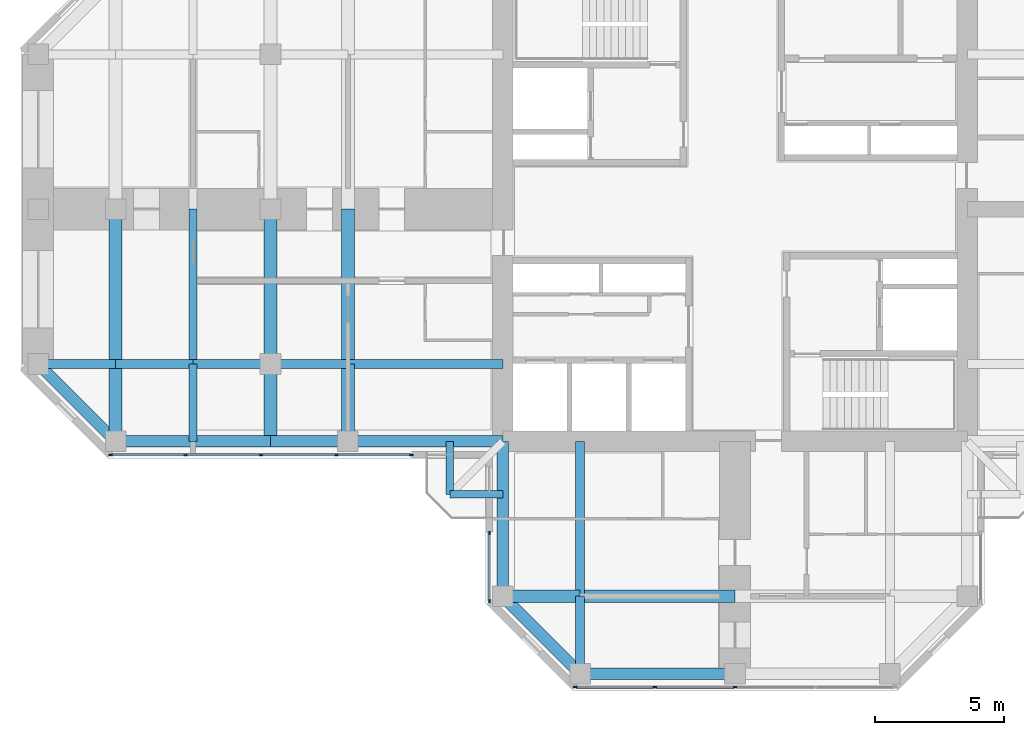
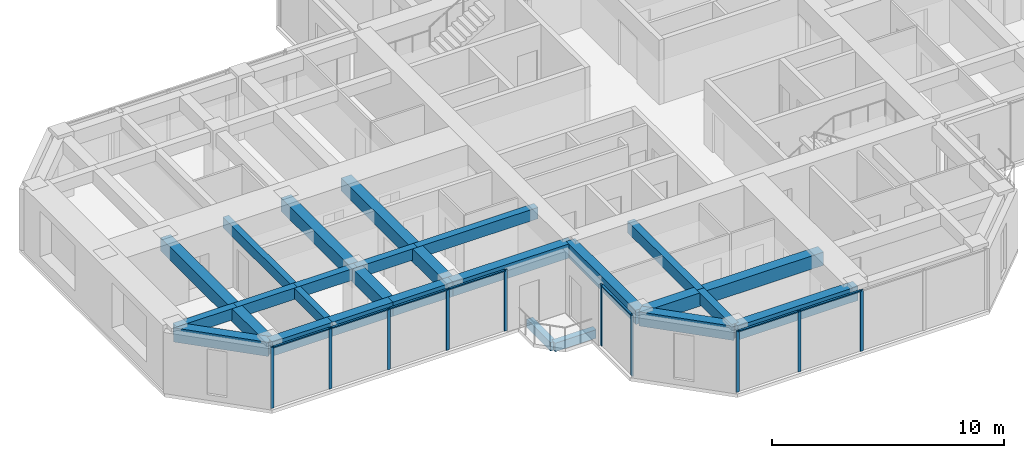
# One storey, part 2 of 13: 27 beams, 17 members, 3 elements without a shape of their own.
"""IFC4 building model written with IfcOpenShell, lengths in metres."""

from ifc_helpers import new_model, si_unit, direction, frame, origin, origin_2d, place, context, subcontext, project, spatial, rectangle, extrude, material, material_profile, profile_set, type_object, element, aggregate, save


model = new_model("IFC4")

# Units and contexts
model_context = context("Model", 3, precision=1e-05, world=origin(), true_north=direction((0.0, 1.0)))
body_context = subcontext(model_context, "Body", "Model", "MODEL_VIEW")
ifc_project = project(units=[si_unit("LENGTHUNIT", "METRE"), si_unit("AREAUNIT", "SQUARE_METRE"), si_unit("VOLUMEUNIT", "CUBIC_METRE"), si_unit("PLANEANGLEUNIT", "RADIAN"), si_unit("MASSUNIT", "GRAM", prefix="KILO")], contexts=[model_context])

# Site, building, storey
site_placement = place(None, origin())
site = spatial("IfcSite", under=ifc_project, at=site_placement, CompositionType="ELEMENT")
building_placement = place(site_placement, origin())
building = spatial("IfcBuilding", under=site, at=building_placement, Name="Torre Cruceta", CompositionType="ELEMENT")
storey_placement = place(building_placement, frame((0.0, 0.0, 239.10009765625)))
storey = spatial("IfcBuildingStorey", under=building, at=storey_placement, Name="L61", CompositionType="ELEMENT", Elevation=239.10009765625)

# Beams
ifc_material_1 = material(Name="Concrete G60 (fck 60 MPa)", Category="concrete")
ifc_material_profile_1 = material_profile(ifc_material_1, rectangle(XDim=0.300048828125, YDim=0.449951171875, at=origin_2d()), Name="RC 300X450")
ifc_profile_set_1 = profile_set([ifc_material_profile_1], Name="Concrete G60 (fck 60 MPa)")
beam_type_1 = type_object("IfcBeamType", Name="BALCONY CANTILEVER BEAM RC 300X450", PredefinedType="BEAM", material=ifc_profile_set_1)
for number, where, z_axis, x_axis, name in (
    (1, (-11.050537109375, -9.0, -0.405029296875), (0.0, -1.0, 0.0), (1.0, 0.0, 0.0), "BB1 balcony edge beam L61 W-X"),
    (2, (-9.0, -11.050537109375, -0.405029296875), (-1.0, 0.0, 0.0), (0.0, -1.0, 0.0), "BB1 balcony edge beam L61 W-Y"),
):
    element("IfcBeam", number, at=place(storey_placement, frame(where, z_axis=z_axis, x_axis=x_axis)), inside=storey, type_object=beam_type_1, Name=name, PredefinedType="BEAM", context=body_context, shape_type="SweptSolid", body=[
        extrude(rectangle(XDim=0.300048828125, YDim=0.449951171875, at=origin_2d()), origin(), (0.0, 0.0, 1.0), 2.050537109375),
    ])
ifc_material_2 = material(Name="Concrete G60 (fck 60 MPa)", Category="concrete")
ifc_material_profile_2 = material_profile(ifc_material_2, rectangle(XDim=0.35009765625, YDim=0.60009765625, at=origin_2d()), Name="RC 350X600")
ifc_profile_set_2 = profile_set([ifc_material_profile_2], Name="Concrete G60 (fck 60 MPa)")
beam_type_2 = type_object("IfcBeamType", Name="COLUMN LINE BEAM RC 350X600", PredefinedType="BEAM", material=ifc_profile_set_2)
beam_1_placement = place(storey_placement, frame((-6.0, -9.0, 2.919921875), z_axis=(0.0, -1.0, 0.0), x_axis=(1.0, 0.0, 0.0)))
element("IfcBeam", 3, at=beam_1_placement, inside=storey, type_object=beam_type_2, Name="LB9 L61 S col- 1", PredefinedType="BEAM", context=body_context, shape_type="SweptSolid", body=[
    extrude(rectangle(XDim=0.35009765625, YDim=0.60009765625, at=origin_2d()), origin(), (0.0, 0.0, 1.0), 6.0),
])
beam_2_placement = place(storey_placement, frame((-6.0, -15.0, 2.919921875), z_axis=(0.0, -1.0, 0.0), x_axis=(1.0, 0.0, 0.0)))
element("IfcBeam", 4, at=beam_2_placement, inside=storey, type_object=beam_type_2, Name="LB9 L61 S col- 2", PredefinedType="BEAM", context=body_context, shape_type="SweptSolid", body=[
    extrude(rectangle(XDim=0.35009765625, YDim=0.60009765625, at=origin_2d()), origin(), (0.0, 0.0, 1.0), 3.0),
])
beam_3_placement = place(storey_placement, frame((-9.0, -6.0, 2.919921875), z_axis=(-1.0, 0.0, 0.0), x_axis=(0.0, -1.0, 0.0)))
element("IfcBeam", 5, at=beam_3_placement, inside=storey, type_object=beam_type_2, Name="LB9 L61 W col+ 1", PredefinedType="BEAM", context=body_context, shape_type="SweptSolid", body=[
    extrude(rectangle(XDim=0.35009765625, YDim=0.60009765625, at=origin_2d()), origin(), (0.0, 0.0, 1.0), 6.0),
])
for number, where, z_axis, x_axis, name in (
    (6, (-15.0, -6.0, 2.919921875), (-1.0, 0.0, 0.0), (0.0, -1.0, 0.0), "LB9 L61 W col+ 2"),
    (7, (-18.0, -6.0, 2.919921875), (-1.0, 0.0, 0.0), (0.0, -1.0, 0.0), "LB9 L61 W col+ 3"),
    (8, (-21.0, -6.0, 2.919921875), (-1.0, 0.0, 0.0), (0.0, -1.0, 0.0), "LB9 L61 W col+ 4"),
    (9, (-24.0, -6.0, 2.919921875), (-1.0, 0.0, 0.0), (0.0, -1.0, 0.0), "LB9 L61 W col+ 5"),
):
    element("IfcBeam", number, at=place(storey_placement, frame(where, z_axis=z_axis, x_axis=x_axis)), inside=storey, type_object=beam_type_2, Name=name, PredefinedType="BEAM", context=body_context, shape_type="SweptSolid", body=[
        extrude(rectangle(XDim=0.35009765625, YDim=0.60009765625, at=origin_2d()), origin(), (0.0, 0.0, 1.0), 3.0),
    ])
ifc_material_3 = material(Name="Concrete G60 (fck 60 MPa)", Category="concrete")
ifc_material_profile_3 = material_profile(ifc_material_3, rectangle(XDim=0.5, YDim=0.699951171875, at=origin_2d()), Name="RC 500X700")
ifc_profile_set_3 = profile_set([ifc_material_profile_3], Name="Concrete G60 (fck 60 MPa)")
beam_type_3 = type_object("IfcBeamType", Name="CROSS BEAM RC 500X700", PredefinedType="BEAM", material=ifc_profile_set_3)
beam_4_placement = place(storey_placement, frame((-9.0, -15.0, 2.869873046875), z_axis=(1.0, 0.0, 0.0), x_axis=(0.0, 1.0, 0.0)))
element("IfcBeam", 10, at=beam_4_placement, inside=storey, type_object=beam_type_3, Name="GB7 L61 S cross15 1", PredefinedType="BEAM", context=body_context, shape_type="SweptSolid", body=[
    extrude(rectangle(XDim=0.5, YDim=0.699951171875, at=origin_2d()), origin(), (0.0, 0.0, 1.0), 3.0),
])
for number, where, z_axis, x_axis, name in (
    (11, (-6.0, -15.0, 2.869873046875), (1.0, 0.0, 0.0), (0.0, 1.0, 0.0), "GB7 L61 S cross15 2"),
    (12, (-15.0, 0.0, 2.869873046875), (0.0, -1.0, 0.0), (1.0, 0.0, 0.0), "GB7 L61 W cross15 3"),
):
    element("IfcBeam", number, at=place(storey_placement, frame(where, z_axis=z_axis, x_axis=x_axis)), inside=storey, type_object=beam_type_3, Name=name, PredefinedType="BEAM", context=body_context, shape_type="SweptSolid", body=[
        extrude(rectangle(XDim=0.5, YDim=0.699951171875, at=origin_2d()), origin(), (0.0, 0.0, 1.0), 6.0),
    ])
beam_5_placement = place(storey_placement, frame((-15.0, -6.0, 2.869873046875), z_axis=(0.0, -1.0, 0.0), x_axis=(1.0, 0.0, 0.0)))
element("IfcBeam", 13, at=beam_5_placement, inside=storey, type_object=beam_type_3, Name="GB7 L61 W cross15 4", PredefinedType="BEAM", context=body_context, shape_type="SweptSolid", body=[
    extrude(rectangle(XDim=0.5, YDim=0.699951171875, at=origin_2d()), origin(), (0.0, 0.0, 1.0), 3.0),
])
beam_6_placement = place(storey_placement, frame((-18.0, 0.0, 2.869873046875), z_axis=(0.0, -1.0, 0.0), x_axis=(1.0, 0.0, 0.0)))
element("IfcBeam", 14, at=beam_6_placement, inside=storey, type_object=beam_type_3, Name="GB7 L61 W cross18 3", PredefinedType="BEAM", context=body_context, shape_type="SweptSolid", body=[
    extrude(rectangle(XDim=0.5, YDim=0.699951171875, at=origin_2d()), origin(), (0.0, 0.0, 1.0), 6.0),
])
beam_7_placement = place(storey_placement, frame((-18.0, -6.0, 2.869873046875), z_axis=(0.0, -1.0, 0.0), x_axis=(1.0, 0.0, 0.0)))
element("IfcBeam", 15, at=beam_7_placement, inside=storey, type_object=beam_type_3, Name="GB7 L61 W cross18 4", PredefinedType="BEAM", context=body_context, shape_type="SweptSolid", body=[
    extrude(rectangle(XDim=0.5, YDim=0.699951171875, at=origin_2d()), origin(), (0.0, 0.0, 1.0), 3.0),
])
beam_8_placement = place(storey_placement, frame((-24.0, 0.0, 2.869873046875), z_axis=(0.0, -1.0, 0.0), x_axis=(1.0, 0.0, 0.0)))
element("IfcBeam", 16, at=beam_8_placement, inside=storey, type_object=beam_type_3, Name="GB7 L61 W cross24 3", PredefinedType="BEAM", context=body_context, shape_type="SweptSolid", body=[
    extrude(rectangle(XDim=0.5, YDim=0.699951171875, at=origin_2d()), origin(), (0.0, 0.0, 1.0), 6.0),
])
beam_9_placement = place(storey_placement, frame((-24.0, -6.0, 2.869873046875), z_axis=(0.0, -1.0, 0.0), x_axis=(1.0, 0.0, 0.0)))
element("IfcBeam", 17, at=beam_9_placement, inside=storey, type_object=beam_type_3, Name="GB7 L61 W cross24 4", PredefinedType="BEAM", context=body_context, shape_type="SweptSolid", body=[
    extrude(rectangle(XDim=0.5, YDim=0.699951171875, at=origin_2d()), origin(), (0.0, 0.0, 1.0), 3.0),
])

# Curtain wall, members
ifc_material_4 = material(Name="Aluminium unitised curtain wall", Category="aluminium")
curtain_wall_type = type_object("IfcCurtainWallType", Name="CURTAIN WALL CW-D CO-LIVING UPPER", PredefinedType="USERDEFINED", material=ifc_material_4)
curtain_wall_1_placement = place(storey_placement, origin())
curtain_wall_1 = element("IfcCurtainWall", 18, at=curtain_wall_1_placement, inside=storey, type_object=curtain_wall_type, Name="CW-D L61 W side 14", ObjectType="UNITISED", PredefinedType="USERDEFINED")
ifc_material_5 = material(Name="Aluminium mullion", Category="aluminium")
ifc_material_profile_4 = material_profile(ifc_material_5, rectangle(XDim=0.06005859375, YDim=0.14990234375, at=origin_2d()), Name="AL 60X150")
ifc_profile_set_4 = profile_set([ifc_material_profile_4], Name="Aluminium mullion")
member_type_1 = type_object("IfcMemberType", Name="CW-D MULLION 60X150", PredefinedType="MULLION", material=ifc_profile_set_4)
member_1_placement = place(storey_placement, frame((-24.185302734375, -9.52001953125, 0.0), z_axis=(0.0, 0.0, 1.0), x_axis=(0.0, 1.0, 0.0)))
member_1 = element("IfcMember", 19, at=member_1_placement, type_object=member_type_1, Name="CW-D mullion 1", PredefinedType="MULLION", context=body_context, shape_type="SweptSolid", body=[
    extrude(rectangle(XDim=0.06005859375, YDim=0.14990234375, at=origin_2d()), origin(), (0.0, 0.0, 1.0), 3.219970703125),
])
member_2_placement = place(storey_placement, frame((-21.29150390625, -9.52001953125, 0.0), z_axis=(0.0, 0.0, 1.0), x_axis=(0.0, 1.0, 0.0)))
member_2 = element("IfcMember", 20, at=member_2_placement, type_object=member_type_1, Name="CW-D mullion 2", PredefinedType="MULLION", context=body_context, shape_type="SweptSolid", body=[
    extrude(rectangle(XDim=0.06005859375, YDim=0.14990234375, at=origin_2d()), origin(), (0.0, 0.0, 1.0), 3.219970703125),
])
member_3_placement = place(storey_placement, frame((-18.36767578125, -9.52001953125, 0.0), z_axis=(0.0, 0.0, 1.0), x_axis=(0.0, 1.0, 0.0)))
member_3 = element("IfcMember", 21, at=member_3_placement, type_object=member_type_1, Name="CW-D mullion 3", PredefinedType="MULLION", context=body_context, shape_type="SweptSolid", body=[
    extrude(rectangle(XDim=0.06005859375, YDim=0.14990234375, at=origin_2d()), origin(), (0.0, 0.0, 1.0), 3.219970703125),
])
member_4_placement = place(storey_placement, frame((-15.44384765625, -9.52001953125, 0.0), z_axis=(0.0, 0.0, 1.0), x_axis=(0.0, 1.0, 0.0)))
member_4 = element("IfcMember", 22, at=member_4_placement, type_object=member_type_1, Name="CW-D mullion 4", PredefinedType="MULLION", context=body_context, shape_type="SweptSolid", body=[
    extrude(rectangle(XDim=0.06005859375, YDim=0.14990234375, at=origin_2d()), origin(), (0.0, 0.0, 1.0), 3.219970703125),
])
member_5_placement = place(storey_placement, frame((-12.550048828125, -9.52001953125, 0.0), z_axis=(0.0, 0.0, 1.0), x_axis=(0.0, 1.0, 0.0)))
member_5 = element("IfcMember", 23, at=member_5_placement, type_object=member_type_1, Name="CW-D mullion 5", PredefinedType="MULLION", context=body_context, shape_type="SweptSolid", body=[
    extrude(rectangle(XDim=0.06005859375, YDim=0.14990234375, at=origin_2d()), origin(), (0.0, 0.0, 1.0), 3.219970703125),
])

curtain_wall_2_placement = place(storey_placement, origin())
curtain_wall_2 = element("IfcCurtainWall", 24, at=curtain_wall_2_placement, inside=storey, type_object=curtain_wall_type, Name="CW-D L61 S side 15", ObjectType="UNITISED", PredefinedType="USERDEFINED")
member_6_placement = place(storey_placement, frame((-9.52001953125, -12.550048828125, 0.0), z_axis=(0.0, 0.0, 1.0), x_axis=(1.0, 0.0, 0.0)))
member_6 = element("IfcMember", 25, at=member_6_placement, type_object=member_type_1, Name="CW-D mullion 1", PredefinedType="MULLION", context=body_context, shape_type="SweptSolid", body=[
    extrude(rectangle(XDim=0.06005859375, YDim=0.14990234375, at=origin_2d()), origin(), (0.0, 0.0, 1.0), 3.219970703125),
])
member_7_placement = place(storey_placement, frame((-9.52001953125, -15.185302734375, 0.0), z_axis=(0.0, 0.0, 1.0), x_axis=(1.0, 0.0, 0.0)))
member_7 = element("IfcMember", 26, at=member_7_placement, type_object=member_type_1, Name="CW-D mullion 2", PredefinedType="MULLION", context=body_context, shape_type="SweptSolid", body=[
    extrude(rectangle(XDim=0.06005859375, YDim=0.14990234375, at=origin_2d()), origin(), (0.0, 0.0, 1.0), 3.219970703125),
])

curtain_wall_3_placement = place(storey_placement, origin())
curtain_wall_3 = element("IfcCurtainWall", 27, at=curtain_wall_3_placement, inside=storey, type_object=curtain_wall_type, Name="CW-D L61 S tip 17", ObjectType="UNITISED", PredefinedType="USERDEFINED")
member_8_placement = place(storey_placement, frame((-6.185302734375, -18.52001953125, 0.0), z_axis=(0.0, 0.0, 1.0), x_axis=(0.0, 1.0, 0.0)))
member_8 = element("IfcMember", 28, at=member_8_placement, type_object=member_type_1, Name="CW-D mullion 1", PredefinedType="MULLION", context=body_context, shape_type="SweptSolid", body=[
    extrude(rectangle(XDim=0.06005859375, YDim=0.14990234375, at=origin_2d()), origin(), (0.0, 0.0, 1.0), 3.219970703125),
])
member_9_placement = place(storey_placement, frame((-3.107666015625, -18.52001953125, 0.0), z_axis=(0.0, 0.0, 1.0), x_axis=(0.0, 1.0, 0.0)))
member_9 = element("IfcMember", 29, at=member_9_placement, type_object=member_type_1, Name="CW-D mullion 2", PredefinedType="MULLION", context=body_context, shape_type="SweptSolid", body=[
    extrude(rectangle(XDim=0.06005859375, YDim=0.14990234375, at=origin_2d()), origin(), (0.0, 0.0, 1.0), 3.219970703125),
])
member_10_placement = place(storey_placement, frame((0.0, -18.52001953125, 0.0), z_axis=(0.0, 0.0, 1.0), x_axis=(0.0, 1.0, 0.0)))
member_10 = element("IfcMember", 30, at=member_10_placement, type_object=member_type_1, Name="CW-D mullion 3", PredefinedType="MULLION", context=body_context, shape_type="SweptSolid", body=[
    extrude(rectangle(XDim=0.06005859375, YDim=0.14990234375, at=origin_2d()), origin(), (0.0, 0.0, 1.0), 3.219970703125),
])

# Member
ifc_material_6 = material(Name="Aluminium transom", Category="aluminium")
ifc_material_profile_5 = material_profile(ifc_material_6, rectangle(XDim=0.10009765625, YDim=0.06005859375, at=origin_2d()), Name="AL 100X60")
ifc_profile_set_5 = profile_set([ifc_material_profile_5], Name="Aluminium transom")
member_type_2 = type_object("IfcMemberType", Name="CW-D TRANSOM 60X100", PredefinedType="USERDEFINED", material=ifc_profile_set_5)
member_11_placement = place(storey_placement, frame((-24.1552734375, -9.52001953125, 3.18994140625), z_axis=(1.0, 0.0, 0.0), x_axis=(0.0, 1.0, 0.0)))
member_11 = element("IfcMember", 31, at=member_11_placement, type_object=member_type_2, Name="CW-D transom 1", ObjectType="TRANSOM", PredefinedType="USERDEFINED", context=body_context, shape_type="SweptSolid", body=[
    extrude(rectangle(XDim=0.10009765625, YDim=0.06005859375, at=origin_2d()), origin(), (0.0, 0.0, 1.0), 2.833740234375),
])

member_12_placement = place(storey_placement, frame((-21.261474609375, -9.52001953125, 3.18994140625), z_axis=(1.0, 0.0, 0.0), x_axis=(0.0, 1.0, 0.0)))
member_12 = element("IfcMember", 32, at=member_12_placement, type_object=member_type_2, Name="CW-D transom 2", ObjectType="TRANSOM", PredefinedType="USERDEFINED", context=body_context, shape_type="SweptSolid", body=[
    extrude(rectangle(XDim=0.10009765625, YDim=0.06005859375, at=origin_2d()), origin(), (0.0, 0.0, 1.0), 2.86376953125),
])

member_13_placement = place(storey_placement, frame((-18.337646484375, -9.52001953125, 3.18994140625), z_axis=(1.0, 0.0, 0.0), x_axis=(0.0, 1.0, 0.0)))
member_13 = element("IfcMember", 33, at=member_13_placement, type_object=member_type_2, Name="CW-D transom 3", ObjectType="TRANSOM", PredefinedType="USERDEFINED", context=body_context, shape_type="SweptSolid", body=[
    extrude(rectangle(XDim=0.10009765625, YDim=0.06005859375, at=origin_2d()), origin(), (0.0, 0.0, 1.0), 2.86376953125),
])

member_14_placement = place(storey_placement, frame((-15.413818359375, -9.52001953125, 3.18994140625), z_axis=(1.0, 0.0, 0.0), x_axis=(0.0, 1.0, 0.0)))
member_14 = element("IfcMember", 34, at=member_14_placement, type_object=member_type_2, Name="CW-D transom 4", ObjectType="TRANSOM", PredefinedType="USERDEFINED", context=body_context, shape_type="SweptSolid", body=[
    extrude(rectangle(XDim=0.10009765625, YDim=0.06005859375, at=origin_2d()), origin(), (0.0, 0.0, 1.0), 2.833740234375),
])

aggregate(curtain_wall_1, [member_1, member_2, member_3, member_4, member_5, member_11, member_12, member_13, member_14])

member_15_placement = place(storey_placement, frame((-9.52001953125, -12.580078125, 3.18994140625), z_axis=(0.0, -1.0, 0.0), x_axis=(1.0, 0.0, 0.0)))
member_15 = element("IfcMember", 35, at=member_15_placement, type_object=member_type_2, Name="CW-D transom 1", ObjectType="TRANSOM", PredefinedType="USERDEFINED", context=body_context, shape_type="SweptSolid", body=[
    extrude(rectangle(XDim=0.10009765625, YDim=0.06005859375, at=origin_2d()), origin(), (0.0, 0.0, 1.0), 2.5751953125),
])

aggregate(curtain_wall_2, [member_6, member_7, member_15])

member_16_placement = place(storey_placement, frame((-6.1552734375, -18.52001953125, 3.18994140625), z_axis=(1.0, 0.0, 0.0), x_axis=(0.0, 1.0, 0.0)))
member_16 = element("IfcMember", 36, at=member_16_placement, type_object=member_type_2, Name="CW-D transom 1", ObjectType="TRANSOM", PredefinedType="USERDEFINED", context=body_context, shape_type="SweptSolid", body=[
    extrude(rectangle(XDim=0.10009765625, YDim=0.06005859375, at=origin_2d()), origin(), (0.0, 0.0, 1.0), 3.017578125),
])

member_17_placement = place(storey_placement, frame((-3.07763671875, -18.52001953125, 3.18994140625), z_axis=(1.0, 0.0, 0.0), x_axis=(0.0, 1.0, 0.0)))
member_17 = element("IfcMember", 37, at=member_17_placement, type_object=member_type_2, Name="CW-D transom 2", ObjectType="TRANSOM", PredefinedType="USERDEFINED", context=body_context, shape_type="SweptSolid", body=[
    extrude(rectangle(XDim=0.10009765625, YDim=0.06005859375, at=origin_2d()), origin(), (0.0, 0.0, 1.0), 3.047607421875),
])

aggregate(curtain_wall_3, [member_8, member_9, member_10, member_16, member_17])

# Beams
ifc_material_7 = material(Name="Concrete G60 (fck 60 MPa)", Category="concrete")
ifc_material_profile_6 = material_profile(ifc_material_7, rectangle(XDim=0.300048828125, YDim=0.550048828125, at=origin_2d()), Name="RC 300X550")
ifc_profile_set_6 = profile_set([ifc_material_profile_6], Name="Concrete G60 (fck 60 MPa)")
beam_type_4 = type_object("IfcBeamType", Name="SECONDARY BEAM RC 300X550", PredefinedType="JOIST", material=ifc_profile_set_6)
beam_10_placement = place(storey_placement, frame((-21.0, 0.0, 2.94482421875), z_axis=(0.0, -1.0, 0.0), x_axis=(1.0, 0.0, 0.0)))
element("IfcBeam", 38, at=beam_10_placement, inside=storey, type_object=beam_type_4, Name="JB7 L61 W sec21 3", PredefinedType="JOIST", context=body_context, shape_type="SweptSolid", body=[
    extrude(rectangle(XDim=0.300048828125, YDim=0.550048828125, at=origin_2d()), origin(), (0.0, 0.0, 1.0), 6.0),
])
beam_11_placement = place(storey_placement, frame((-21.0, -6.0, 2.94482421875), z_axis=(0.0, -1.0, 0.0), x_axis=(1.0, 0.0, 0.0)))
element("IfcBeam", 39, at=beam_11_placement, inside=storey, type_object=beam_type_4, Name="JB7 L61 W sec21 4", PredefinedType="JOIST", context=body_context, shape_type="SweptSolid", body=[
    extrude(rectangle(XDim=0.300048828125, YDim=0.550048828125, at=origin_2d()), origin(), (0.0, 0.0, 1.0), 3.0),
])
ifc_material_8 = material(Name="Concrete G60 (fck 60 MPa)", Category="concrete")
ifc_material_profile_7 = material_profile(ifc_material_8, rectangle(XDim=0.449951171875, YDim=0.75, at=origin_2d()), Name="RC 450X750")
ifc_profile_set_7 = profile_set([ifc_material_profile_7], Name="Concrete G60 (fck 60 MPa)")
beam_type_5 = type_object("IfcBeamType", Name="SPANDREL BEAM RC 450X750", PredefinedType="SPANDREL", material=ifc_profile_set_7)
beam_12_placement = place(storey_placement, frame((-9.0, -9.0, 2.844970703125), z_axis=(0.0, -1.0, 0.0), x_axis=(1.0, 0.0, 0.0)))
element("IfcBeam", 40, at=beam_12_placement, inside=storey, type_object=beam_type_5, Name="SB7 L61 S side- 1", PredefinedType="SPANDREL", context=body_context, shape_type="SweptSolid", body=[
    extrude(rectangle(XDim=0.449951171875, YDim=0.75, at=origin_2d()), origin(), (0.0, 0.0, 1.0), 6.0),
])
beam_13_placement = place(storey_placement, frame((-9.0, -15.0, 2.844970703125), z_axis=(0.707106781187, -0.707106781187, 0.0), x_axis=(0.707106781187, 0.707106781187, 0.0)))
element("IfcBeam", 41, at=beam_13_placement, inside=storey, type_object=beam_type_5, Name="SB7 L61 S side- 2", PredefinedType="SPANDREL", context=body_context, shape_type="SweptSolid", body=[
    extrude(rectangle(XDim=0.449951171875, YDim=0.75, at=origin_2d()), origin(), (0.0, 0.0, 1.0), 4.24267578125),
])
for number, where, z_axis, x_axis, name in (
    (42, (-6.0, -18.0, 2.844970703125), (1.0, 0.0, 0.0), (0.0, 1.0, 0.0), "SB7 L61 S tip 1"),
    (43, (-9.0, -9.0, 2.844970703125), (-1.0, 0.0, 0.0), (0.0, -1.0, 0.0), "SB7 L61 W side+ 1"),
):
    element("IfcBeam", number, at=place(storey_placement, frame(where, z_axis=z_axis, x_axis=x_axis)), inside=storey, type_object=beam_type_5, Name=name, PredefinedType="SPANDREL", context=body_context, shape_type="SweptSolid", body=[
        extrude(rectangle(XDim=0.449951171875, YDim=0.75, at=origin_2d()), origin(), (0.0, 0.0, 1.0), 6.0),
    ])
for number, where, z_axis, x_axis, name in (
    (44, (-15.0, -9.0, 2.844970703125), (-1.0, 0.0, 0.0), (0.0, -1.0, 0.0), "SB7 L61 W side+ 2"),
    (45, (-18.0, -9.0, 2.844970703125), (-1.0, 0.0, 0.0), (0.0, -1.0, 0.0), "SB7 L61 W side+ 3"),
    (46, (-21.0, -9.0, 2.844970703125), (-1.0, 0.0, 0.0), (0.0, -1.0, 0.0), "SB7 L61 W side+ 4"),
):
    element("IfcBeam", number, at=place(storey_placement, frame(where, z_axis=z_axis, x_axis=x_axis)), inside=storey, type_object=beam_type_5, Name=name, PredefinedType="SPANDREL", context=body_context, shape_type="SweptSolid", body=[
        extrude(rectangle(XDim=0.449951171875, YDim=0.75, at=origin_2d()), origin(), (0.0, 0.0, 1.0), 3.0),
    ])
beam_14_placement = place(storey_placement, frame((-24.0, -9.0, 2.844970703125), z_axis=(-0.707106781187, 0.707106781187, 0.0), x_axis=(-0.707106781187, -0.707106781187, 0.0)))
element("IfcBeam", 47, at=beam_14_placement, inside=storey, type_object=beam_type_5, Name="SB7 L61 W side+ 5", PredefinedType="SPANDREL", context=body_context, shape_type="SweptSolid", body=[
    extrude(rectangle(XDim=0.449951171875, YDim=0.75, at=origin_2d()), origin(), (0.0, 0.0, 1.0), 4.24267578125),
])

save(model, "model.ifc")
